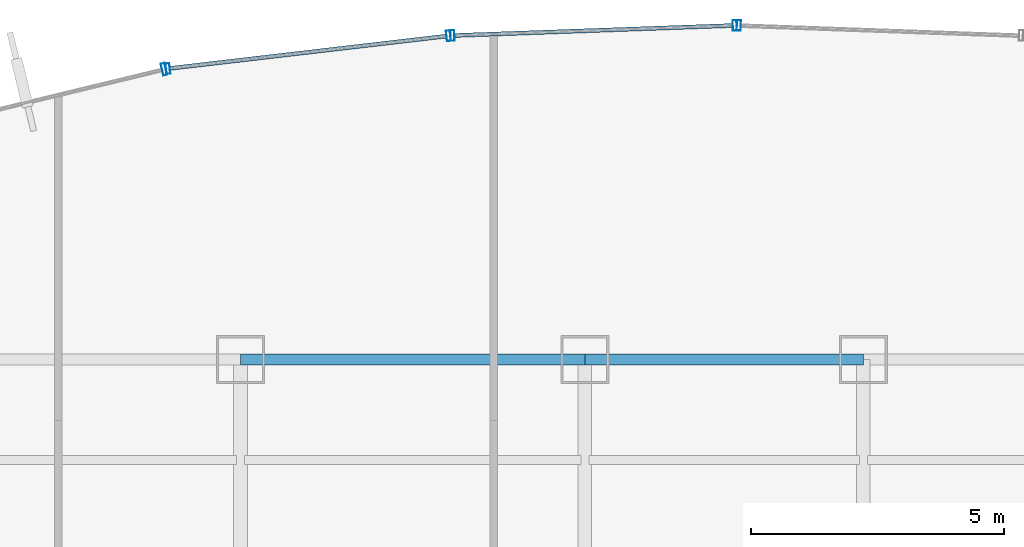
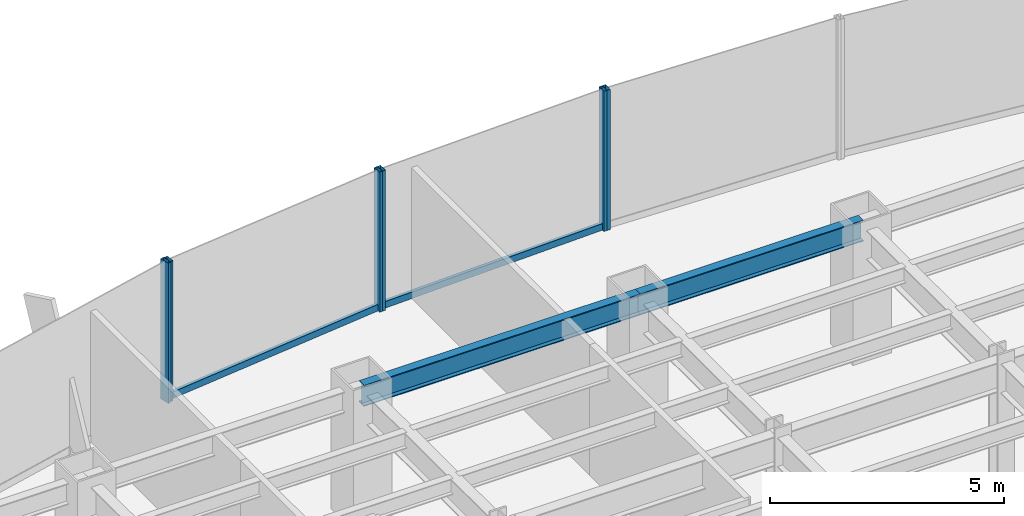
# One storey, part 12 of 22: 8 members, 2 beams, 4 elements without a shape of their own.
"""IFC4 building model written with IfcOpenShell, lengths in metres."""

from ifc_helpers import new_model, si_unit, derived_unit, direction, frame, origin, origin_2d, place, context, subcontext, project, spatial, hollow_rectangle, i_section, extrude, source, transform, mapped, material, material_profile, profile_set, type_object, element, aggregate, save


model = new_model("IFC4")

# Units and contexts
model_context = context("Model", 3, precision=1e-05, world=origin(), true_north=direction((0.0, 1.0)))
body_context = subcontext(model_context, "Body", "Model", "MODEL_VIEW")
ifc_project = project(units=[si_unit("LENGTHUNIT", "METRE"), si_unit("AREAUNIT", "SQUARE_METRE"), si_unit("VOLUMEUNIT", "CUBIC_METRE"), si_unit("PLANEANGLEUNIT", "RADIAN"), si_unit("MASSUNIT", "GRAM", prefix="KILO"), derived_unit("THERMALTRANSMITTANCEUNIT", [(si_unit("POWERUNIT", "WATT"), 1), (si_unit("LENGTHUNIT", "METRE"), -2), (si_unit("THERMODYNAMICTEMPERATUREUNIT", "KELVIN"), -1)])], contexts=[model_context])

# Site, building, storey
site_placement = place(None, origin())
site = spatial("IfcSite", under=ifc_project, at=site_placement, CompositionType="ELEMENT")
building_placement = place(site_placement, origin())
building = spatial("IfcBuilding", under=site, at=building_placement, Name="Skarnbrae Concourse Arena and Tower", CompositionType="ELEMENT")
storey_placement = place(building_placement, frame((0.0, 0.0, 58.050048828125)))
storey = spatial("IfcBuildingStorey", under=building, at=storey_placement, Name="L13", CompositionType="ELEMENT", Elevation=58.050048828125)

# Beams
ifc_material_1 = material(Name="Steel CSA G40.21 350W", Category="steel")
ifc_material_profile_1 = material_profile(ifc_material_1, i_section(OverallWidth=0.214111328125, OverallDepth=0.549072265625, WebThickness=0.0146484375, FlangeThickness=0.023681640625, at=origin_2d()), Name="W530X138")
ifc_profile_set_1 = profile_set([ifc_material_profile_1], Name="Steel CSA G40.21 350W")
beam_type = type_object("IfcBeamType", Name="BM-SPAN-W530X138", PredefinedType="SPANDREL", material=ifc_profile_set_1)
shared_shape_1 = source(origin(), body_context, "Body", "SweptSolid", [
    extrude(i_section(OverallWidth=0.214111328125, OverallDepth=0.549072265625, WebThickness=0.0146484375, FlangeThickness=0.023681640625, at=origin_2d()), origin(), (0.0, 0.0, 1.0), 6.800048828125),
])
beam_1_placement = place(storey_placement, frame((21.199951171875, 40.39990234375, 3.12548828125), z_axis=(1.0, 0.0, 0.0), x_axis=(0.0, 1.0, 0.0)))
element("IfcBeam", 1, at=beam_1_placement, inside=storey, type_object=beam_type, Name="L13 Perimeter spandrel Y40.4-3", PredefinedType="SPANDREL", context=body_context, shape_type="MappedRepresentation", body=[
    mapped(shared_shape_1, transform((0.0, 0.0, 0.0))),
])
shared_shape_2 = source(origin(), body_context, "Body", "SweptSolid", [
    extrude(i_section(OverallWidth=0.214111328125, OverallDepth=0.549072265625, WebThickness=0.0146484375, FlangeThickness=0.023681640625, at=origin_2d()), origin(), (0.0, 0.0, 1.0), 5.5),
])
beam_2_placement = place(storey_placement, frame((28.0, 40.39990234375, 3.12548828125), z_axis=(1.0, 0.0, 0.0), x_axis=(0.0, 1.0, 0.0)))
element("IfcBeam", 2, at=beam_2_placement, inside=storey, type_object=beam_type, Name="L13 Perimeter spandrel Y40.4-4", PredefinedType="SPANDREL", context=body_context, shape_type="MappedRepresentation", body=[
    mapped(shared_shape_2, transform((0.0, 0.0, 0.0))),
])

# Curtain wall, member
ifc_material_2 = material(Name="Bronze anodised aluminium 6063-T6", Category="aluminium")
curtain_wall_type_1 = type_object("IfcCurtainWallType", Name="CW-SYS-02-LOWZONE", PredefinedType="USERDEFINED", material=ifc_material_2)
curtain_wall_1_placement = place(storey_placement, origin())
curtain_wall_1 = element("IfcCurtainWall", 3, at=curtain_wall_1_placement, inside=storey, type_object=curtain_wall_type_1, Name="L13 Unitised curtain wall CW-L13-E14", ObjectType="UNITISED CURTAIN WALL", PredefinedType="USERDEFINED")
ifc_material_profile_2 = material_profile(ifc_material_2, hollow_rectangle(XDim=0.080078125, YDim=0.239990234375, WallThickness=0.0048828125, at=origin_2d()), Name="ALU-MULL-80X240")
ifc_profile_set_2 = profile_set([ifc_material_profile_2], Name="Bronze anodised aluminium 6063-T6")
member_type_1 = type_object("IfcMemberType", Name="CWM-CW-02", PredefinedType="MULLION", material=ifc_profile_set_2)
shared_shape_3 = source(origin(), body_context, "Body", "SweptSolid", [
    extrude(hollow_rectangle(XDim=0.080078125, YDim=0.239990234375, WallThickness=0.0048828125, at=origin_2d()), origin(), (0.0, 0.0, 1.0), 3.64990234375),
])
member_1_placement = place(storey_placement, frame((19.688720703125, 46.131103515625, 0.0), z_axis=(0.0, 0.0, 1.0), x_axis=(-0.971973721569, -0.235089524607, 0.0)))
member_1 = element("IfcMember", 4, at=member_1_placement, type_object=member_type_1, Name="CW-L13-E14 Mullion 1", PredefinedType="MULLION", context=body_context, shape_type="MappedRepresentation", body=[
    mapped(shared_shape_3, transform((0.0, 0.0, 0.0))),
])
aggregate(curtain_wall_1, [member_1])

curtain_wall_type_2 = type_object("IfcCurtainWallType", Name="CW-SYS-03-PORTAL", PredefinedType="USERDEFINED", material=ifc_material_2)
curtain_wall_2_placement = place(storey_placement, origin())
curtain_wall_2 = element("IfcCurtainWall", 5, at=curtain_wall_2_placement, inside=storey, type_object=curtain_wall_type_2, Name="L13 Unitised curtain wall CW-L13-E13", ObjectType="UNITISED CURTAIN WALL", PredefinedType="USERDEFINED")
ifc_material_profile_3 = material_profile(ifc_material_2, hollow_rectangle(XDim=0.080078125, YDim=0.169921875, WallThickness=0.00439453125, at=origin_2d()), Name="ALU-TRAN-80X170")
ifc_profile_set_3 = profile_set([ifc_material_profile_3], Name="Bronze anodised aluminium 6063-T6")
member_type_2 = type_object("IfcMemberType", Name="CWT-CW-03", PredefinedType="USERDEFINED", material=ifc_profile_set_3)
shared_shape_4 = source(origin(), body_context, "Body", "SweptSolid", [
    extrude(hollow_rectangle(XDim=0.080078125, YDim=0.169921875, WallThickness=0.00439453125, at=origin_2d()), origin(), (0.0, 0.0, 1.0), 5.49658203125),
])
member_2_placement = place(storey_placement, frame((25.2666015625, 46.78759765625, 0.0849609375), z_axis=(-0.993247281455, -0.116016541417, 0.0), x_axis=(0.116016541417, -0.993247281455, 0.0)))
member_2 = element("IfcMember", 6, at=member_2_placement, type_object=member_type_2, Name="CW-L13-E13 Transom 1", ObjectType="TRANSOM", PredefinedType="USERDEFINED", context=body_context, shape_type="MappedRepresentation", body=[
    mapped(shared_shape_4, transform((0.0, 0.0, 0.0))),
])

curtain_wall_3_placement = place(storey_placement, origin())
curtain_wall_3 = element("IfcCurtainWall", 7, at=curtain_wall_3_placement, inside=storey, type_object=curtain_wall_type_2, Name="L13 Unitised curtain wall CW-L13-E12", ObjectType="UNITISED CURTAIN WALL", PredefinedType="USERDEFINED")
shared_shape_5 = source(origin(), body_context, "Body", "SweptSolid", [
    extrude(hollow_rectangle(XDim=0.080078125, YDim=0.169921875, WallThickness=0.00439453125, at=origin_2d()), origin(), (0.0, 0.0, 1.0), 5.497802734375),
])
member_3_placement = place(storey_placement, frame((30.920166015625, 46.9970703125, 0.0849609375), z_axis=(-0.999356047798, -0.03588160712, 0.0), x_axis=(0.03588160712, -0.999356047798, 0.0)))
member_3 = element("IfcMember", 8, at=member_3_placement, type_object=member_type_2, Name="CW-L13-E12 Transom 1", ObjectType="TRANSOM", PredefinedType="USERDEFINED", context=body_context, shape_type="MappedRepresentation", body=[
    mapped(shared_shape_5, transform((0.0, 0.0, 0.0))),
])

curtain_wall_4_placement = place(storey_placement, origin())
curtain_wall_4 = element("IfcCurtainWall", 9, at=curtain_wall_4_placement, inside=storey, type_object=curtain_wall_type_2, Name="L13 Unitised curtain wall CW-L13-E11", ObjectType="UNITISED CURTAIN WALL", PredefinedType="USERDEFINED")
ifc_material_profile_4 = material_profile(ifc_material_2, hollow_rectangle(XDim=0.080078125, YDim=0.2099609375, WallThickness=0.00439453125, at=origin_2d()), Name="ALU-MULL-80X210")
ifc_profile_set_4 = profile_set([ifc_material_profile_4], Name="Bronze anodised aluminium 6063-T6")
member_type_3 = type_object("IfcMemberType", Name="CWM-CW-03", PredefinedType="MULLION", material=ifc_profile_set_4)
shared_shape_6 = source(origin(), body_context, "Body", "SweptSolid", [
    extrude(hollow_rectangle(XDim=0.080078125, YDim=0.2099609375, WallThickness=0.00439453125, at=origin_2d()), origin(), (0.0, 0.0, 1.0), 3.64990234375),
])
member_4_placement = place(storey_placement, frame((31.0400390625, 46.99853515625, 0.0), z_axis=(0.0, 0.0, 1.0), x_axis=(-0.999355425188, 0.035898943527, 0.0)))
member_4 = element("IfcMember", 10, at=member_4_placement, type_object=member_type_3, Name="CW-L13-E11 Mullion 2", PredefinedType="MULLION", context=body_context, shape_type="MappedRepresentation", body=[
    mapped(shared_shape_6, transform((0.0, 0.0, 0.0))),
])
aggregate(curtain_wall_4, [member_4])

# Member
member_5_placement = place(storey_placement, frame((30.9599609375, 46.99853515625, 0.0), z_axis=(0.0, 0.0, 1.0), x_axis=(-0.999355425188, -0.035898943527, 0.0)))
member_5 = element("IfcMember", 11, at=member_5_placement, type_object=member_type_3, Name="CW-L13-E12 Mullion 1", PredefinedType="MULLION", context=body_context, shape_type="MappedRepresentation", body=[
    mapped(shared_shape_6, transform((0.0, 0.0, 0.0))),
])

member_6_placement = place(storey_placement, frame((25.385986328125, 46.79833984375, 0.0), z_axis=(0.0, 0.0, 1.0), x_axis=(-0.999355425188, -0.035898943527, 0.0)))
member_6 = element("IfcMember", 12, at=member_6_placement, type_object=member_type_3, Name="CW-L13-E12 Mullion 2", PredefinedType="MULLION", context=body_context, shape_type="MappedRepresentation", body=[
    mapped(shared_shape_6, transform((0.0, 0.0, 0.0))),
])

aggregate(curtain_wall_3, [member_5, member_6, member_3])

member_7_placement = place(storey_placement, frame((25.306396484375, 46.792236328125, 0.0), z_axis=(0.0, 0.0, 1.0), x_axis=(-0.99324457001, -0.116039752435, 0.0)))
member_7 = element("IfcMember", 13, at=member_7_placement, type_object=member_type_3, Name="CW-L13-E13 Mullion 1", PredefinedType="MULLION", context=body_context, shape_type="MappedRepresentation", body=[
    mapped(shared_shape_6, transform((0.0, 0.0, 0.0))),
])

member_8_placement = place(storey_placement, frame((19.767333984375, 46.14501953125, 0.0), z_axis=(0.0, 0.0, 1.0), x_axis=(-0.99324457001, -0.116039752435, 0.0)))
member_8 = element("IfcMember", 14, at=member_8_placement, type_object=member_type_3, Name="CW-L13-E13 Mullion 2", PredefinedType="MULLION", context=body_context, shape_type="MappedRepresentation", body=[
    mapped(shared_shape_6, transform((0.0, 0.0, 0.0))),
])

aggregate(curtain_wall_2, [member_7, member_8, member_2])

save(model, "model.ifc")
